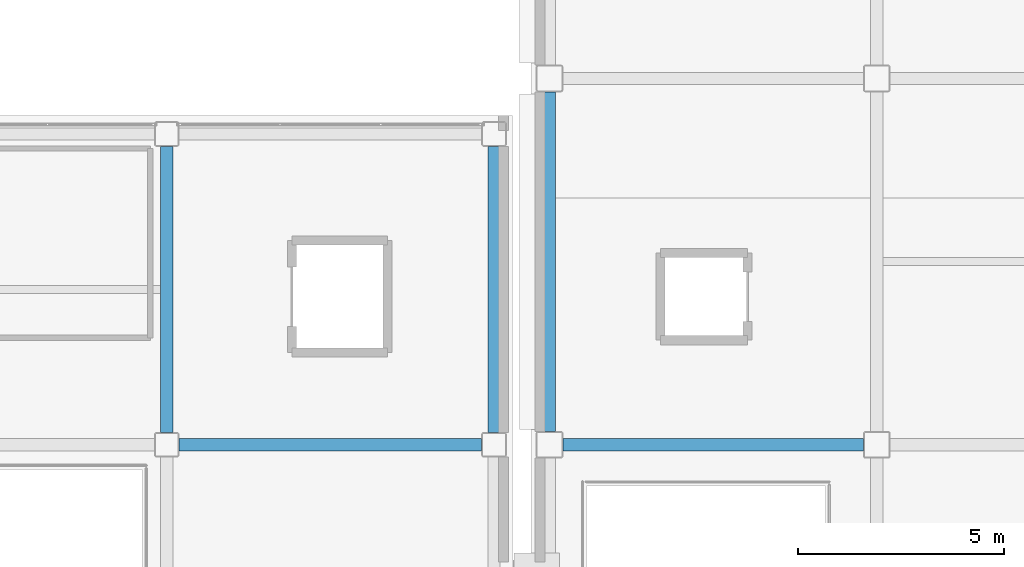
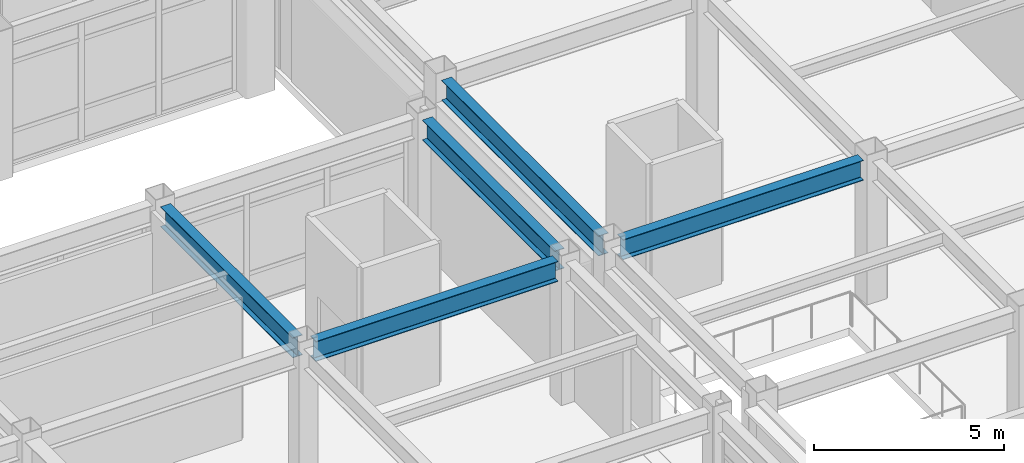
# One storey, part 33 of 172: 5 beams.
"""IFC4 building model written with IfcOpenShell, lengths in metres."""

from ifc_helpers import new_model, si_unit, direction, frame, origin, origin_2d, place, context, subcontext, project, spatial, i_section, extrude, material, material_profile, profile_set, type_object, element, save


model = new_model("IFC4")

# Units and contexts
model_context = context("Model", 3, precision=1e-05, world=origin(), true_north=direction((0.0, 1.0)))
body_context = subcontext(model_context, "Body", "Model", "MODEL_VIEW")
ifc_project = project(units=[si_unit("LENGTHUNIT", "METRE"), si_unit("AREAUNIT", "SQUARE_METRE"), si_unit("VOLUMEUNIT", "CUBIC_METRE"), si_unit("PLANEANGLEUNIT", "RADIAN"), si_unit("MASSUNIT", "GRAM", prefix="KILO")], contexts=[model_context])

# Site, building, storey
site_placement = place(None, origin())
site = spatial("IfcSite", under=ifc_project, at=site_placement, CompositionType="ELEMENT")
building_placement = place(site_placement, origin())
building = spatial("IfcBuilding", under=site, at=building_placement, Name="Kazehara Bluff Congress Hotel", CompositionType="ELEMENT")
storey_placement = place(building_placement, frame((0.0, 0.0, 5.39990234375)))
storey = spatial("IfcBuildingStorey", under=building, at=storey_placement, Name="L01", CompositionType="ELEMENT", Elevation=5.39990234375)

# Beams
ifc_material = material(Name="Steel SN490B", Category="steel")
ifc_material_profile = material_profile(ifc_material, i_section(OverallWidth=0.300048828125, OverallDepth=0.64990234375, WebThickness=0.011962890625, FlangeThickness=0.02001953125, FilletRadius=0.012939453125, at=origin_2d()))
ifc_profile_set = profile_set([ifc_material_profile], Name="Steel SN490B")
beam_type = type_object("IfcBeamType", Name="TP-G-03", PredefinedType="BEAM", material=ifc_profile_set)
for number, where, z_axis, x_axis, name in (
    (1, (50.39990234375, 32.300048828125, 4.22509765625), (0.0, 1.0, 0.0), (-1.0, 0.0, 0.0), "L01 girder G-03 64"),
    (2, (58.35009765625, 32.300048828125, 4.22509765625), (0.0, 1.0, 0.0), (-1.0, 0.0, 0.0), "L01 girder G-03 69"),
):
    element("IfcBeam", number, at=place(storey_placement, frame(where, z_axis=z_axis, x_axis=x_axis)), inside=storey, type_object=beam_type, Name=name, PredefinedType="BEAM", context=body_context, shape_type="SweptSolid", body=[
        extrude(i_section(OverallWidth=0.300048828125, OverallDepth=0.64990234375, WebThickness=0.011962890625, FlangeThickness=0.02001953125, FilletRadius=0.012939453125, at=origin_2d()), origin(), (0.0, 0.0, 1.0), 6.949951171875),
    ])
beam_1_placement = place(storey_placement, frame((50.699951171875, 32.0, 4.22509765625), z_axis=(1.0, 0.0, 0.0), x_axis=(0.0, 1.0, 0.0)))
element("IfcBeam", 3, at=beam_1_placement, inside=storey, type_object=beam_type, Name="L01 girder G-03 94", PredefinedType="BEAM", context=body_context, shape_type="SweptSolid", body=[
    extrude(i_section(OverallWidth=0.300048828125, OverallDepth=0.64990234375, WebThickness=0.011962890625, FlangeThickness=0.02001953125, FilletRadius=0.012939453125, at=origin_2d()), origin(), (0.0, 0.0, 1.0), 7.35009765625),
])
beam_2_placement = place(storey_placement, frame((59.699951171875, 32.324951171875, 4.22509765625), z_axis=(0.0, 1.0, 0.0), x_axis=(-1.0, 0.0, 0.0)))
element("IfcBeam", 4, at=beam_2_placement, inside=storey, type_object=beam_type, Name="L01 girder G-03 150", PredefinedType="BEAM", context=body_context, shape_type="SweptSolid", body=[
    extrude(i_section(OverallWidth=0.300048828125, OverallDepth=0.64990234375, WebThickness=0.011962890625, FlangeThickness=0.02001953125, FilletRadius=0.012939453125, at=origin_2d()), origin(), (0.0, 0.0, 1.0), 8.25),
])
beam_3_placement = place(storey_placement, frame((60.02490234375, 32.0, 4.22509765625), z_axis=(1.0, 0.0, 0.0), x_axis=(0.0, 1.0, 0.0)))
element("IfcBeam", 5, at=beam_3_placement, inside=storey, type_object=beam_type, Name="L01 girder G-03 199", PredefinedType="BEAM", context=body_context, shape_type="SweptSolid", body=[
    extrude(i_section(OverallWidth=0.300048828125, OverallDepth=0.64990234375, WebThickness=0.011962890625, FlangeThickness=0.02001953125, FilletRadius=0.012939453125, at=origin_2d()), origin(), (0.0, 0.0, 1.0), 7.300048828125),
])

save(model, "model.ifc")
